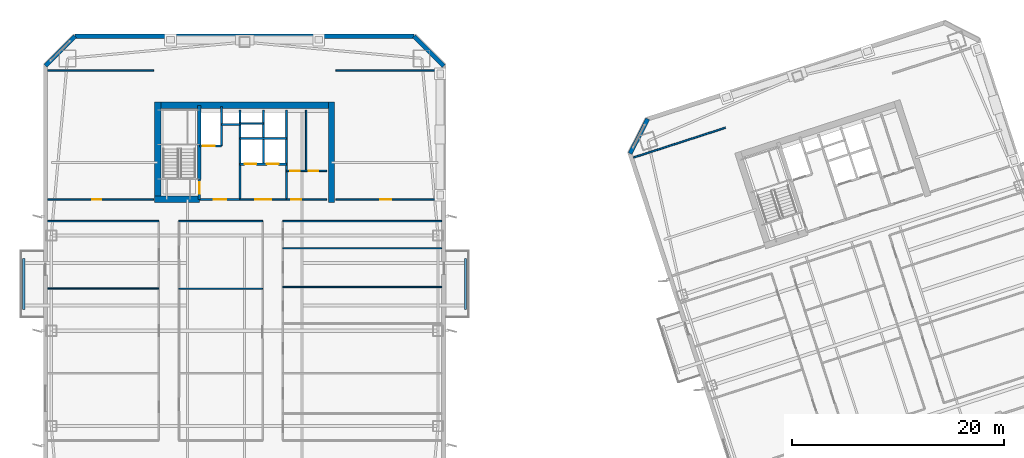
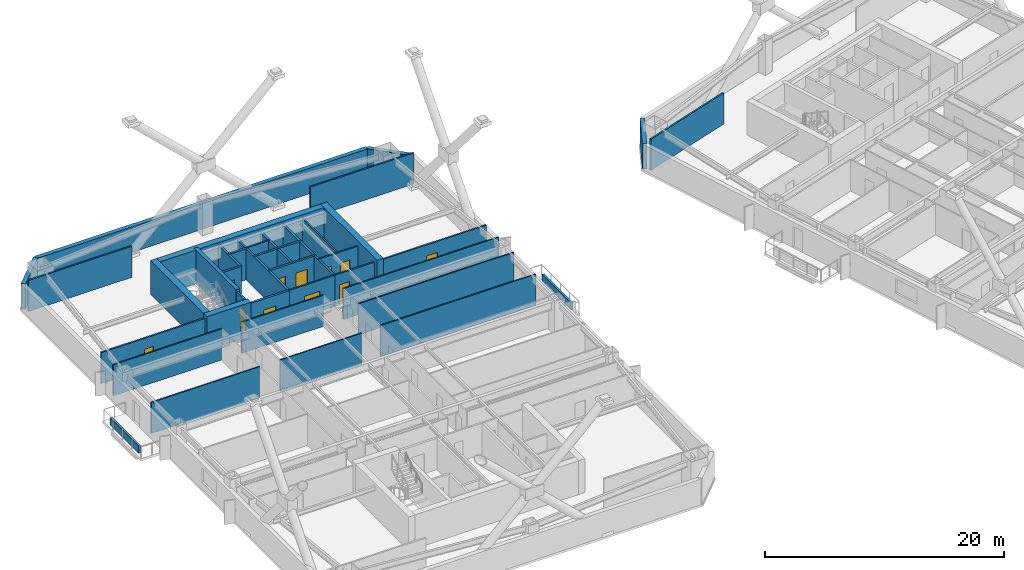
# One storey, part 14 of 24: 38 walls, 11 doors, 11 openings.
"""IFC4 building model written with IfcOpenShell, lengths in metres."""

from ifc_helpers import new_model, si_unit, direction, frame, frame_2d, origin, place, context, subcontext, project, spatial, rectangle, extrude, material, layer, layer_set, type_object, element, fill, save


model = new_model("IFC4")

# Units and contexts
model_context = context("Model", 3, precision=1e-05, world=origin(), true_north=direction((0.0, 1.0)))
body_context = subcontext(model_context, "Body", "Model", "MODEL_VIEW")
ifc_project = project(units=[si_unit("LENGTHUNIT", "METRE"), si_unit("AREAUNIT", "SQUARE_METRE"), si_unit("VOLUMEUNIT", "CUBIC_METRE"), si_unit("PLANEANGLEUNIT", "RADIAN"), si_unit("MASSUNIT", "GRAM", prefix="KILO")], contexts=[model_context])

# Site, building, storey
site_placement = place(None, origin())
site = spatial("IfcSite", under=ifc_project, at=site_placement, CompositionType="ELEMENT")
building_placement = place(site_placement, origin())
building = spatial("IfcBuilding", under=site, at=building_placement, Name="Qiaolan Cultural Towers", CompositionType="ELEMENT")
storey_placement = place(building_placement, frame((0.0, 0.0, 120.75)))
storey = spatial("IfcBuildingStorey", under=building, at=storey_placement, Name="L31", CompositionType="ELEMENT", Elevation=120.75)

# Walls
ifc_material_1 = material(Name="Concrete C50", Category="concrete")
ifc_layer_1 = layer(ifc_material_1, 0.35009765625)
ifc_layer_set_1 = layer_set([ifc_layer_1], Name="Concrete C50")
wall_type_1 = type_object("IfcWallType", Name="WL-CORE-350", PredefinedType="SHEAR", material=ifc_layer_set_1)
wall_1_placement = place(storey_placement, frame((25.719970703125, 48.300048828125, 0.0), z_axis=(0.0, 0.0, 1.0), x_axis=(0.0, 1.0, 0.0)))
element("IfcWall", 1, at=wall_1_placement, inside=storey, type_object=wall_type_1, Name="L31 T1-CN Stair Core Dividing Web", PredefinedType="SHEAR", context=body_context, shape_type="SweptSolid", body=[
    extrude(rectangle(XDim=6.97998046875, YDim=0.35009765625, at=frame_2d((3.489990234375, 0.0))), origin(), (0.0, 0.0, 1.0), 3.449951171875),
])
ifc_material_2 = material(Name="Concrete C55", Category="concrete")
ifc_layer_2 = layer(ifc_material_2, 0.60009765625)
ifc_layer_set_2 = layer_set([ifc_layer_2], Name="Concrete C55")
wall_type_2 = type_object("IfcWallType", Name="WL-CORE-600", PredefinedType="SHEAR", material=ifc_layer_set_2)
wall_2_placement = place(storey_placement, frame((21.5, 55.280029296875, 0.0), z_axis=(0.0, 0.0, 1.0), x_axis=(1.0, 0.0, 0.0)))
element("IfcWall", 2, at=wall_2_placement, inside=storey, type_object=wall_type_2, Name="L31 T1-CN Outer Core Shear Wall", PredefinedType="SHEAR", context=body_context, shape_type="SweptSolid", body=[
    extrude(rectangle(XDim=17.0, YDim=0.60009765625, at=frame_2d((8.5, 0.0))), origin(), (0.0, 0.0, 1.0), 3.449951171875),
])
for number, where, z_axis, x_axis, name in (
    (3, (21.800048828125, 46.10009765625, 0.0), (0.0, 0.0, 1.0), (0.0, 1.0, 0.0), "L31 T1-CN West Core Shear Wall"),
    (4, (38.199951171875, 46.10009765625, 0.0), (0.0, 0.0, 1.0), (0.0, 1.0, 0.0), "L31 T1-CN East Core Shear Wall"),
):
    element("IfcWall", number, at=place(storey_placement, frame(where, z_axis=z_axis, x_axis=x_axis)), inside=storey, type_object=wall_type_2, Name=name, PredefinedType="SHEAR", context=body_context, shape_type="SweptSolid", body=[
        extrude(rectangle(XDim=9.47998046875, YDim=0.60009765625, at=frame_2d((4.739990234375, 0.0))), origin(), (0.0, 0.0, 1.0), 3.449951171875),
    ])
wall_3_placement = place(storey_placement, frame((21.5, 46.39990234375, 0.0), z_axis=(0.0, 0.0, 1.0), x_axis=(1.0, 0.0, 0.0)))
element("IfcWall", 5, at=wall_3_placement, inside=storey, type_object=wall_type_2, Name="L31 T1-CN Stair Front Shear Wall", PredefinedType="SHEAR", context=body_context, shape_type="SweptSolid", body=[
    extrude(rectangle(XDim=4.219970703125, YDim=0.60009765625, at=frame_2d((2.10986328125, 0.0))), origin(), (0.0, 0.0, 1.0), 3.449951171875),
])
ifc_material_3 = material(Name="Precast Concrete C50 Honed Stone Pier", Category="masonry")
ifc_layer_3 = layer(ifc_material_3, 0.39990234375)
ifc_layer_set_3 = layer_set([ifc_layer_3], Name="Precast Concrete C50 Honed Stone Pier")
wall_type_3 = type_object("IfcWallType", Name="WL-EXT-PIER-400", PredefinedType="SOLIDWALL", material=ifc_layer_set_3)
wall_4_placement = place(storey_placement, frame((11.199951171875, 59.0, 0.0), z_axis=(0.0, 0.0, 1.0), x_axis=(0.707106781187, 0.707106781187, 0.0)))
element("IfcWall", 6, at=wall_4_placement, inside=storey, type_object=wall_type_3, Name="L31 West Tower Precast Pier Facade Wall F2", PredefinedType="SOLIDWALL", context=body_context, shape_type="SweptSolid", body=[
    extrude(rectangle(XDim=3.9599609375, YDim=0.39990234375, at=frame_2d((1.97998046875, 0.0))), origin(), (0.0, 0.0, 1.0), 2.610107421875),
])
wall_5_placement = place(storey_placement, frame((14.0, 61.800048828125, 0.0), z_axis=(0.0, 0.0, 1.0), x_axis=(1.0, 0.0, 0.0)))
element("IfcWall", 7, at=wall_5_placement, inside=storey, type_object=wall_type_3, Name="L31 West Tower Precast Pier Facade Wall F3", PredefinedType="SOLIDWALL", context=body_context, shape_type="SweptSolid", body=[
    extrude(rectangle(XDim=32.0, YDim=0.39990234375, at=frame_2d((16.0, 0.0))), origin(), (0.0, 0.0, 1.0), 2.610107421875),
])
wall_6_placement = place(storey_placement, frame((46.0, 61.800048828125, 0.0), z_axis=(0.0, 0.0, 1.0), x_axis=(0.707106781187, -0.707106781187, 0.0)))
element("IfcWall", 8, at=wall_6_placement, inside=storey, type_object=wall_type_3, Name="L31 West Tower Precast Pier Facade Wall F4", PredefinedType="SOLIDWALL", context=body_context, shape_type="SweptSolid", body=[
    extrude(rectangle(XDim=3.9599609375, YDim=0.39990234375, at=frame_2d((1.97998046875, 0.0))), origin(), (0.0, 0.0, 1.0), 2.610107421875),
])
wall_7_placement = place(storey_placement, frame((66.37744140625, 50.718505859375, 0.0), z_axis=(0.0, 0.0, 1.0), x_axis=(0.454026238093, 0.890988313685, 0.0)))
element("IfcWall", 9, at=wall_7_placement, inside=storey, type_object=wall_type_3, Name="L31 East Tower Precast Pier Facade Wall F2", PredefinedType="SOLIDWALL", context=body_context, shape_type="SweptSolid", body=[
    extrude(rectangle(XDim=3.677001953125, YDim=0.39990234375, at=frame_2d((1.83837890625, 0.0))), origin(), (0.0, 0.0, 1.0), 2.610107421875),
])

# Wall, opening, door
ifc_material_4 = material(Name="Concrete C35 Fire Wall", Category="concrete")
ifc_layer_4 = layer(ifc_material_4, 0.199951171875)
ifc_layer_set_4 = layer_set([ifc_layer_4], Name="Concrete C35 Fire Wall")
wall_type_4 = type_object("IfcWallType", Name="WL-FIRE-200", PredefinedType="PARTITIONING", material=ifc_layer_set_4)
wall_8_placement = place(storey_placement, frame((25.719970703125, 46.39990234375, 0.0), z_axis=(0.0, 0.0, 1.0), x_axis=(0.0, 1.0, 0.0)))
wall_8 = element("IfcWall", 10, at=wall_8_placement, inside=storey, type_object=wall_type_4, Name="L31 T1-CN Smokeproof Stair Entry Wall", PredefinedType="PARTITIONING", context=body_context, shape_type="SweptSolid", body=[
    extrude(rectangle(XDim=1.900146484375, YDim=0.199951171875, at=frame_2d((0.9501953125, 0.0))), origin(), (0.0, 0.0, 1.0), 3.175048828125),
])
opening_1_placement = place(wall_8_placement, frame((0.52001953125, 0.0, 0.0)))
opening_1 = element("IfcOpeningElement", 11, at=opening_1_placement, cuts=wall_8, Name="Opening FD-04", PredefinedType="OPENING", context=body_context, shape_type="SweptSolid", body=[
    extrude(rectangle(XDim=1.10009765625, YDim=2.050048828125, at=frame_2d((0.550048828125, 1.02490234375))), frame((0.0, 0.10986328125, 0.0), z_axis=(0.0, -1.0, 0.0), x_axis=(1.0, 0.0, 0.0)), (0.0, 0.0, 1.0), 0.219970703125),
])
ifc_material_5 = material(Name="Galvanized Steel Command Fire Door", Category="steel")
door_type_1 = type_object("IfcDoorType", Name="DR-FD90-1100", OperationType="NOTDEFINED", PredefinedType="DOOR", material=ifc_material_5)
door_1_placement = place(opening_1_placement, origin())
door_1 = element("IfcDoor", 12, at=door_1_placement, inside=storey, type_object=door_type_1, Name="L31 ST-W2 Smokeproof Stair Fire Door", OperationType="SINGLE_SWING_LEFT", OverallHeight=2.050048828125, OverallWidth=1.10009765625, PredefinedType="DOOR", context=body_context, shape_type="SweptSolid", body=[
    extrude(rectangle(XDim=1.10009765625, YDim=2.050048828125, at=frame_2d((0.550048828125, 1.02490234375))), frame((0.0, 0.02490234375, 0.0), z_axis=(0.0, -1.0, 0.0), x_axis=(1.0, 0.0, 0.0)), (0.0, 0.0, 1.0), 0.050048828125),
])
fill(opening_1, door_1)

# Wall
wall_9_placement = place(storey_placement, frame((29.550048828125, 46.39990234375, 0.0), z_axis=(0.0, 0.0, 1.0), x_axis=(0.0, 1.0, 0.0)))
element("IfcWall", 13, at=wall_9_placement, inside=storey, type_object=wall_type_4, Name="L31 T1-CN Firefighting Zone Wall", PredefinedType="PARTITIONING", context=body_context, shape_type="SweptSolid", body=[
    extrude(rectangle(XDim=8.43017578125, YDim=0.199951171875, at=frame_2d((4.215087890625, 0.0))), origin(), (0.0, 0.0, 1.0), 3.175048828125),
])

# Wall, opening, door
wall_10_placement = place(storey_placement, frame((25.719970703125, 46.39990234375, 0.0), z_axis=(0.0, 0.0, 1.0), x_axis=(1.0, 0.0, 0.0)))
wall_10 = element("IfcWall", 14, at=wall_10_placement, inside=storey, type_object=wall_type_4, Name="L31 T1-CN Firefighting Lobby Front Wall", PredefinedType="PARTITIONING", context=body_context, shape_type="SweptSolid", body=[
    extrude(rectangle(XDim=3.830078125, YDim=0.199951171875, at=frame_2d((1.9150390625, 0.0))), origin(), (0.0, 0.0, 1.0), 3.175048828125),
])
opening_2_placement = place(wall_10_placement, frame((1.35009765625, 0.0, 0.0)))
opening_2 = element("IfcOpeningElement", 15, at=opening_2_placement, cuts=wall_10, Name="Opening FD-03", PredefinedType="OPENING", context=body_context, shape_type="SweptSolid", body=[
    extrude(rectangle(XDim=1.199951171875, YDim=2.050048828125, at=frame_2d((0.60009765625, 1.02490234375))), frame((0.0, 0.10986328125, 0.0), z_axis=(0.0, -1.0, 0.0), x_axis=(1.0, 0.0, 0.0)), (0.0, 0.0, 1.0), 0.219970703125),
])
ifc_material_6 = material(Name="Galvanized Steel Smokeproof Lobby Fire Door", Category="steel")
door_type_2 = type_object("IfcDoorType", Name="DR-FD90-1200", OperationType="NOTDEFINED", PredefinedType="DOOR", material=ifc_material_6)
door_2_placement = place(opening_2_placement, origin())
door_2 = element("IfcDoor", 16, at=door_2_placement, inside=storey, type_object=door_type_2, Name="L31 FFL-W2 Firefighting Lobby Fire Door", OperationType="SINGLE_SWING_LEFT", OverallHeight=2.050048828125, OverallWidth=1.199951171875, PredefinedType="DOOR", context=body_context, shape_type="SweptSolid", body=[
    extrude(rectangle(XDim=1.199951171875, YDim=2.050048828125, at=frame_2d((0.60009765625, 1.02490234375))), frame((0.0, 0.02490234375, 0.0), z_axis=(0.0, -1.0, 0.0), x_axis=(1.0, 0.0, 0.0)), (0.0, 0.0, 1.0), 0.050048828125),
])
fill(opening_2, door_2)

wall_11_placement = place(storey_placement, frame((25.719970703125, 51.449951171875, 0.0), z_axis=(0.0, 0.0, 1.0), x_axis=(1.0, 0.0, 0.0)))
wall_11 = element("IfcWall", 17, at=wall_11_placement, inside=storey, type_object=wall_type_4, Name="L31 T1-CN Firefighting Shaft Front Wall", PredefinedType="PARTITIONING", context=body_context, shape_type="SweptSolid", body=[
    extrude(rectangle(XDim=2.10009765625, YDim=0.199951171875, at=frame_2d((1.050048828125, 0.0))), origin(), (0.0, 0.0, 1.0), 3.175048828125),
])
opening_3_placement = place(wall_11_placement, frame((0.35009765625, 0.0, 0.0)))
opening_3 = element("IfcOpeningElement", 18, at=opening_3_placement, cuts=wall_11, Name="Opening LD-01", PredefinedType="OPENING", context=body_context, shape_type="SweptSolid", body=[
    extrude(rectangle(XDim=1.10009765625, YDim=2.050048828125, at=frame_2d((0.550048828125, 1.02490234375))), frame((0.0, 0.10986328125, 0.0), z_axis=(0.0, -1.0, 0.0), x_axis=(1.0, 0.0, 0.0)), (0.0, 0.0, 1.0), 0.219970703125),
])
ifc_material_7 = material(Name="Brushed Stainless Steel S30408 Centre-Parting Lift Landing Door", Category="steel")
door_type_3 = type_object("IfcDoorType", Name="DR-LIFT-1100", OperationType="NOTDEFINED", PredefinedType="DOOR", material=ifc_material_7)
door_3_placement = place(opening_3_placement, origin())
door_3 = element("IfcDoor", 19, at=door_3_placement, inside=storey, type_object=door_type_3, Name="L31 FFL-W2 Firefighting Lift Landing Door", OperationType="DOUBLE_DOOR_SLIDING", OverallHeight=2.050048828125, OverallWidth=1.10009765625, PredefinedType="DOOR", context=body_context, shape_type="SweptSolid", body=[
    extrude(rectangle(XDim=1.10009765625, YDim=2.050048828125, at=frame_2d((0.550048828125, 1.02490234375))), frame((0.0, 0.02490234375, 0.0), z_axis=(0.0, -1.0, 0.0), x_axis=(1.0, 0.0, 0.0)), (0.0, 0.0, 1.0), 0.050048828125),
])
fill(opening_3, door_3)

# Walls
wall_12_placement = place(storey_placement, frame((27.820068359375, 51.449951171875, 0.0), z_axis=(0.0, 0.0, 1.0), x_axis=(0.0, 1.0, 0.0)))
element("IfcWall", 20, at=wall_12_placement, inside=storey, type_object=wall_type_4, Name="L31 T1-CN Firefighting Hoistway East Wall", PredefinedType="PARTITIONING", context=body_context, shape_type="SweptSolid", body=[
    extrude(rectangle(XDim=3.699951171875, YDim=0.199951171875, at=frame_2d((1.85009765625, 0.0))), origin(), (0.0, 0.0, 1.0), 3.175048828125),
])
wall_13_placement = place(storey_placement, frame((27.820068359375, 53.47998046875, 0.0), z_axis=(0.0, 0.0, 1.0), x_axis=(1.0, 0.0, 0.0)))
element("IfcWall", 21, at=wall_13_placement, inside=storey, type_object=wall_type_4, Name="L31 T1-CN Pressurization Shaft Front Wall", PredefinedType="PARTITIONING", context=body_context, shape_type="SweptSolid", body=[
    extrude(rectangle(XDim=1.72998046875, YDim=0.199951171875, at=frame_2d((0.864990234375, 0.0))), origin(), (0.0, 0.0, 1.0), 3.175048828125),
])
wall_14_placement = place(storey_placement, frame((33.949951171875, 46.39990234375, 0.0), z_axis=(0.0, 0.0, 1.0), x_axis=(0.0, 1.0, 0.0)))
element("IfcWall", 22, at=wall_14_placement, inside=storey, type_object=wall_type_4, Name="L31 T1-CN Lift Core East Wall", PredefinedType="PARTITIONING", context=body_context, shape_type="SweptSolid", body=[
    extrude(rectangle(XDim=8.43017578125, YDim=0.199951171875, at=frame_2d((4.215087890625, 0.0))), origin(), (0.0, 0.0, 1.0), 3.175048828125),
])

# Wall, openings, doors
wall_15_placement = place(storey_placement, frame((29.550048828125, 49.719970703125, 0.0), z_axis=(0.0, 0.0, 1.0), x_axis=(1.0, 0.0, 0.0)))
wall_15 = element("IfcWall", 23, at=wall_15_placement, inside=storey, type_object=wall_type_4, Name="L31 T1-CN Passenger Lift Shaft Front Wall", PredefinedType="PARTITIONING", context=body_context, shape_type="SweptSolid", body=[
    extrude(rectangle(XDim=4.39990234375, YDim=0.199951171875, at=frame_2d((2.199951171875, 0.0))), origin(), (0.0, 0.0, 1.0), 3.175048828125),
])
opening_4_placement = place(wall_15_placement, frame((0.449951171875, 0.0, 0.0)))
opening_4 = element("IfcOpeningElement", 24, at=opening_4_placement, cuts=wall_15, Name="Opening LD-01", PredefinedType="OPENING", context=body_context, shape_type="SweptSolid", body=[
    extrude(rectangle(XDim=1.10009765625, YDim=2.050048828125, at=frame_2d((0.550048828125, 1.02490234375))), frame((0.0, 0.10986328125, 0.0), z_axis=(0.0, -1.0, 0.0), x_axis=(1.0, 0.0, 0.0)), (0.0, 0.0, 1.0), 0.219970703125),
])
opening_5_placement = place(wall_15_placement, frame((2.550048828125, 0.0, 0.0)))
opening_5 = element("IfcOpeningElement", 25, at=opening_5_placement, cuts=wall_15, Name="Opening LD-01", PredefinedType="OPENING", context=body_context, shape_type="SweptSolid", body=[
    extrude(rectangle(XDim=1.10009765625, YDim=2.050048828125, at=frame_2d((0.550048828125, 1.02490234375))), frame((0.0, 0.10986328125, 0.0), z_axis=(0.0, -1.0, 0.0), x_axis=(1.0, 0.0, 0.0)), (0.0, 0.0, 1.0), 0.219970703125),
])
door_4_placement = place(opening_4_placement, origin())
door_4 = element("IfcDoor", 26, at=door_4_placement, inside=storey, type_object=door_type_3, Name="L31 Passenger Lift 1 Landing Door", OperationType="DOUBLE_DOOR_SLIDING", OverallHeight=2.050048828125, OverallWidth=1.10009765625, PredefinedType="DOOR", context=body_context, shape_type="SweptSolid", body=[
    extrude(rectangle(XDim=1.10009765625, YDim=2.050048828125, at=frame_2d((0.550048828125, 1.02490234375))), frame((0.0, 0.02490234375, 0.0), z_axis=(0.0, -1.0, 0.0), x_axis=(1.0, 0.0, 0.0)), (0.0, 0.0, 1.0), 0.050048828125),
])
fill(opening_4, door_4)
door_5_placement = place(opening_5_placement, origin())
door_5 = element("IfcDoor", 27, at=door_5_placement, inside=storey, type_object=door_type_3, Name="L31 Passenger Lift 2 Landing Door", OperationType="DOUBLE_DOOR_SLIDING", OverallHeight=2.050048828125, OverallWidth=1.10009765625, PredefinedType="DOOR", context=body_context, shape_type="SweptSolid", body=[
    extrude(rectangle(XDim=1.10009765625, YDim=2.050048828125, at=frame_2d((0.550048828125, 1.02490234375))), frame((0.0, 0.02490234375, 0.0), z_axis=(0.0, -1.0, 0.0), x_axis=(1.0, 0.0, 0.0)), (0.0, 0.0, 1.0), 0.050048828125),
])
fill(opening_5, door_5)

# Walls
wall_16_placement = place(storey_placement, frame((31.780029296875, 49.719970703125, 0.0), z_axis=(0.0, 0.0, 1.0), x_axis=(0.0, 1.0, 0.0)))
element("IfcWall", 28, at=wall_16_placement, inside=storey, type_object=wall_type_4, Name="L31 T1-CN Lift Shaft Divider Wall", PredefinedType="PARTITIONING", context=body_context, shape_type="SweptSolid", body=[
    extrude(rectangle(XDim=5.110107421875, YDim=0.199951171875, at=frame_2d((2.55517578125, 0.0))), origin(), (0.0, 0.0, 1.0), 3.175048828125),
])
wall_17_placement = place(storey_placement, frame((29.550048828125, 52.14990234375, 0.0), z_axis=(0.0, 0.0, 1.0), x_axis=(1.0, 0.0, 0.0)))
element("IfcWall", 29, at=wall_17_placement, inside=storey, type_object=wall_type_4, Name="L31 T1-CN Passenger Lift Shaft Back Wall", PredefinedType="PARTITIONING", context=body_context, shape_type="SweptSolid", body=[
    extrude(rectangle(XDim=4.39990234375, YDim=0.199951171875, at=frame_2d((2.199951171875, 0.0))), origin(), (0.0, 0.0, 1.0), 3.175048828125),
])
ifc_material_8 = material(Name="Gypsum Stud Acoustic Partition", Category="gypsum")
ifc_layer_5 = layer(ifc_material_8, 0.1201171875)
ifc_layer_set_5 = layer_set([ifc_layer_5], Name="Gypsum Stud Acoustic Partition")
wall_type_5 = type_object("IfcWallType", Name="WL-PART-120", PredefinedType="PARTITIONING", material=ifc_layer_set_5)
wall_18_placement = place(storey_placement, frame((11.39990234375, 44.35009765625, 0.0), z_axis=(0.0, 0.0, 1.0), x_axis=(1.0, 0.0, 0.0)))
element("IfcWall", 30, at=wall_18_placement, inside=storey, type_object=wall_type_5, Name="L31 T1 Interior Wall", PredefinedType="PARTITIONING", context=body_context, shape_type="SweptSolid", body=[
    extrude(rectangle(XDim=10.5, YDim=0.1201171875, at=frame_2d((5.25, 0.0))), origin(), (0.0, 0.0, 1.0), 3.175048828125),
])
wall_19_placement = place(storey_placement, frame((23.800048828125, 44.35009765625, 0.0), z_axis=(0.0, 0.0, 1.0), x_axis=(1.0, 0.0, 0.0)))
element("IfcWall", 31, at=wall_19_placement, inside=storey, type_object=wall_type_5, Name="L31 T1 Interior Wall", PredefinedType="PARTITIONING", context=body_context, shape_type="SweptSolid", body=[
    extrude(rectangle(XDim=7.89990234375, YDim=0.1201171875, at=frame_2d((3.949951171875, 0.0))), origin(), (0.0, 0.0, 1.0), 3.175048828125),
])
wall_20_placement = place(storey_placement, frame((33.60009765625, 44.35009765625, 0.0), z_axis=(0.0, 0.0, 1.0), x_axis=(1.0, 0.0, 0.0)))
element("IfcWall", 32, at=wall_20_placement, inside=storey, type_object=wall_type_5, Name="L31 T1 Interior Wall", PredefinedType="PARTITIONING", context=body_context, shape_type="SweptSolid", body=[
    extrude(rectangle(XDim=15.0, YDim=0.1201171875, at=frame_2d((7.5, 0.0))), origin(), (0.0, 0.0, 1.0), 3.175048828125),
])
wall_21_placement = place(storey_placement, frame((23.800048828125, 37.966064453125, 0.0), z_axis=(0.0, 0.0, 1.0), x_axis=(1.0, 0.0, 0.0)))
element("IfcWall", 33, at=wall_21_placement, inside=storey, type_object=wall_type_5, Name="L31 T1 Interior Wall", PredefinedType="PARTITIONING", context=body_context, shape_type="SweptSolid", body=[
    extrude(rectangle(XDim=7.89990234375, YDim=0.1201171875, at=frame_2d((3.949951171875, 0.0))), origin(), (0.0, 0.0, 1.0), 3.175048828125),
])
wall_22_placement = place(storey_placement, frame((11.39990234375, 38.0, 0.0), z_axis=(0.0, 0.0, 1.0), x_axis=(1.0, 0.0, 0.0)))
element("IfcWall", 34, at=wall_22_placement, inside=storey, type_object=wall_type_5, Name="L31 T1 Interior Wall", PredefinedType="PARTITIONING", context=body_context, shape_type="SweptSolid", body=[
    extrude(rectangle(XDim=10.5, YDim=0.1201171875, at=frame_2d((5.25, 0.0))), origin(), (0.0, 0.0, 1.0), 3.175048828125),
])
for number, where, z_axis, x_axis, name in (
    (35, (33.60009765625, 38.133056640625, 0.0), (0.0, 0.0, 1.0), (1.0, 0.0, 0.0), "L31 T1 Interior Wall"),
    (36, (33.60009765625, 41.800048828125, 0.0), (0.0, 0.0, 1.0), (1.0, 0.0, 0.0), "L31 T1 Interior Wall"),
):
    element("IfcWall", number, at=place(storey_placement, frame(where, z_axis=z_axis, x_axis=x_axis)), inside=storey, type_object=wall_type_5, Name=name, PredefinedType="PARTITIONING", context=body_context, shape_type="SweptSolid", body=[
        extrude(rectangle(XDim=15.0, YDim=0.1201171875, at=frame_2d((7.5, 0.0))), origin(), (0.0, 0.0, 1.0), 3.175048828125),
    ])

# Wall, opening, door
ifc_material_9 = material(Name="Autoclaved Aerated Concrete Block B06", Category="concrete")
ifc_layer_6 = layer(ifc_material_9, 0.14990234375)
ifc_layer_set_6 = layer_set([ifc_layer_6], Name="Autoclaved Aerated Concrete Block B06")
wall_type_6 = type_object("IfcWallType", Name="WL-PART-150", PredefinedType="PARTITIONING", material=ifc_layer_set_6)
wall_23_placement = place(storey_placement, frame((29.550048828125, 46.39990234375, 0.0), z_axis=(0.0, 0.0, 1.0), x_axis=(1.0, 0.0, 0.0)))
wall_23 = element("IfcWall", 37, at=wall_23_placement, inside=storey, type_object=wall_type_6, Name="L31 T1-CN Passenger Lift Lobby Front Wall", PredefinedType="PARTITIONING", context=body_context, shape_type="SweptSolid", body=[
    extrude(rectangle(XDim=4.39990234375, YDim=0.14990234375, at=frame_2d((2.199951171875, 0.0))), origin(), (0.0, 0.0, 1.0), 3.175048828125),
])
opening_6_placement = place(wall_23_placement, frame((1.449951171875, 0.0, 0.0)))
opening_6 = element("IfcOpeningElement", 38, at=opening_6_placement, cuts=wall_23, Name="Opening FD-05", PredefinedType="OPENING", context=body_context, shape_type="SweptSolid", body=[
    extrude(rectangle(XDim=1.5, YDim=2.050048828125, at=frame_2d((0.75, 1.02490234375))), frame((0.0, 0.0849609375, 0.0), z_axis=(0.0, -1.0, 0.0), x_axis=(1.0, 0.0, 0.0)), (0.0, 0.0, 1.0), 0.169921875),
])
ifc_material_10 = material(Name="Painted Steel Lift Lobby Fire Door", Category="steel")
door_type_4 = type_object("IfcDoorType", Name="DR-FD60-1500", OperationType="NOTDEFINED", PredefinedType="DOOR", material=ifc_material_10)
door_6_placement = place(opening_6_placement, origin())
door_6 = element("IfcDoor", 39, at=door_6_placement, inside=storey, type_object=door_type_4, Name="L31 Passenger Lift Lobby Entrance", OperationType="SINGLE_SWING_LEFT", OverallHeight=2.050048828125, OverallWidth=1.5, PredefinedType="DOOR", context=body_context, shape_type="SweptSolid", body=[
    extrude(rectangle(XDim=1.5, YDim=2.050048828125, at=frame_2d((0.75, 1.02490234375))), frame((0.0, 0.02490234375, 0.0), z_axis=(0.0, -1.0, 0.0), x_axis=(1.0, 0.0, 0.0)), (0.0, 0.0, 1.0), 0.050048828125),
])
fill(opening_6, door_6)

# Wall
wall_24_placement = place(storey_placement, frame((29.550048828125, 53.550048828125, 0.0), z_axis=(0.0, 0.0, 1.0), x_axis=(1.0, 0.0, 0.0)))
element("IfcWall", 40, at=wall_24_placement, inside=storey, type_object=wall_type_6, Name="L31 T1-CN Core Rear Riser Split", PredefinedType="PARTITIONING", context=body_context, shape_type="SweptSolid", body=[
    extrude(rectangle(XDim=2.22998046875, YDim=0.14990234375, at=frame_2d((1.114990234375, 0.0))), origin(), (0.0, 0.0, 1.0), 3.175048828125),
])

# Wall, opening, door
wall_25_placement = place(storey_placement, frame((33.949951171875, 46.39990234375, 0.0), z_axis=(0.0, 0.0, 1.0), x_axis=(1.0, 0.0, 0.0)))
wall_25 = element("IfcWall", 41, at=wall_25_placement, inside=storey, type_object=wall_type_6, Name="L31 T1-CN Sanitary Core Front Wall", PredefinedType="PARTITIONING", context=body_context, shape_type="SweptSolid", body=[
    extrude(rectangle(XDim=3.800048828125, YDim=0.14990234375, at=frame_2d((1.89990234375, 0.0))), origin(), (0.0, 0.0, 1.0), 3.175048828125),
])
opening_7_placement = place(wall_25_placement, frame((0.449951171875, 0.0, 0.0)))
opening_7 = element("IfcOpeningElement", 42, at=opening_7_placement, cuts=wall_25, Name="Opening ID-05", PredefinedType="OPENING", context=body_context, shape_type="SweptSolid", body=[
    extrude(rectangle(XDim=0.949951171875, YDim=2.050048828125, at=frame_2d((0.47509765625, 1.02490234375))), frame((0.0, 0.0849609375, 0.0), z_axis=(0.0, -1.0, 0.0), x_axis=(1.0, 0.0, 0.0)), (0.0, 0.0, 1.0), 0.169921875),
])
ifc_material_11 = material(Name="Fire-Rated Laminate Accessible Core Door", Category="timber")
door_type_5 = type_object("IfcDoorType", Name="DR-INT-950", OperationType="NOTDEFINED", PredefinedType="DOOR", material=ifc_material_11)
door_7_placement = place(opening_7_placement, origin())
door_7 = element("IfcDoor", 43, at=door_7_placement, inside=storey, type_object=door_type_5, Name="L31 Sanitary Vestibule Door", OperationType="SINGLE_SWING_LEFT", OverallHeight=2.050048828125, OverallWidth=0.949951171875, PredefinedType="DOOR", context=body_context, shape_type="SweptSolid", body=[
    extrude(rectangle(XDim=0.949951171875, YDim=2.050048828125, at=frame_2d((0.47509765625, 1.02490234375))), frame((0.0, 0.02490234375, 0.0), z_axis=(0.0, -1.0, 0.0), x_axis=(1.0, 0.0, 0.0)), (0.0, 0.0, 1.0), 0.050048828125),
])
fill(opening_7, door_7)

# Wall, openings, doors
wall_26_placement = place(storey_placement, frame((33.949951171875, 49.10009765625, 0.0), z_axis=(0.0, 0.0, 1.0), x_axis=(1.0, 0.0, 0.0)))
wall_26 = element("IfcWall", 44, at=wall_26_placement, inside=storey, type_object=wall_type_6, Name="L31 T1-CN Restroom Vestibule Wall", PredefinedType="PARTITIONING", context=body_context, shape_type="SweptSolid", body=[
    extrude(rectangle(XDim=3.800048828125, YDim=0.14990234375, at=frame_2d((1.89990234375, 0.0))), origin(), (0.0, 0.0, 1.0), 3.175048828125),
])
opening_8_placement = place(wall_26_placement, frame((0.35009765625, 0.0, 0.0)))
opening_8 = element("IfcOpeningElement", 45, at=opening_8_placement, cuts=wall_26, Name="Opening ID-06", PredefinedType="OPENING", context=body_context, shape_type="SweptSolid", body=[
    extrude(rectangle(XDim=0.89990234375, YDim=2.050048828125, at=frame_2d((0.449951171875, 1.02490234375))), frame((0.0, 0.0849609375, 0.0), z_axis=(0.0, -1.0, 0.0), x_axis=(1.0, 0.0, 0.0)), (0.0, 0.0, 1.0), 0.169921875),
])
opening_9_placement = place(wall_26_placement, frame((2.10009765625, 0.0, 0.0)))
opening_9 = element("IfcOpeningElement", 46, at=opening_9_placement, cuts=wall_26, Name="Opening ID-06", PredefinedType="OPENING", context=body_context, shape_type="SweptSolid", body=[
    extrude(rectangle(XDim=0.89990234375, YDim=2.050048828125, at=frame_2d((0.449951171875, 1.02490234375))), frame((0.0, 0.0849609375, 0.0), z_axis=(0.0, -1.0, 0.0), x_axis=(1.0, 0.0, 0.0)), (0.0, 0.0, 1.0), 0.169921875),
])
ifc_material_12 = material(Name="Fire-Rated Laminate Core Service Door", Category="timber")
door_type_6 = type_object("IfcDoorType", Name="DR-INT-900", OperationType="NOTDEFINED", PredefinedType="DOOR", material=ifc_material_12)
door_8_placement = place(opening_8_placement, origin())
door_8 = element("IfcDoor", 47, at=door_8_placement, inside=storey, type_object=door_type_6, Name="L31 Men Restroom Door", OperationType="SINGLE_SWING_LEFT", OverallHeight=2.050048828125, OverallWidth=0.89990234375, PredefinedType="DOOR", context=body_context, shape_type="SweptSolid", body=[
    extrude(rectangle(XDim=0.89990234375, YDim=2.050048828125, at=frame_2d((0.449951171875, 1.02490234375))), frame((0.0, 0.02490234375, 0.0), z_axis=(0.0, -1.0, 0.0), x_axis=(1.0, 0.0, 0.0)), (0.0, 0.0, 1.0), 0.050048828125),
])
fill(opening_8, door_8)
door_9_placement = place(opening_9_placement, origin())
door_9 = element("IfcDoor", 48, at=door_9_placement, inside=storey, type_object=door_type_6, Name="L31 Accessible & Women Restroom Door", OperationType="SINGLE_SWING_RIGHT", OverallHeight=2.050048828125, OverallWidth=0.89990234375, PredefinedType="DOOR", context=body_context, shape_type="SweptSolid", body=[
    extrude(rectangle(XDim=0.89990234375, YDim=2.050048828125, at=frame_2d((0.449951171875, 1.02490234375))), frame((0.0, 0.02490234375, 0.0), z_axis=(0.0, -1.0, 0.0), x_axis=(1.0, 0.0, 0.0)), (0.0, 0.0, 1.0), 0.050048828125),
])
fill(opening_9, door_9)

# Walls
wall_27_placement = place(storey_placement, frame((35.800048828125, 49.10009765625, 0.0), z_axis=(0.0, 0.0, 1.0), x_axis=(0.0, 1.0, 0.0)))
element("IfcWall", 49, at=wall_27_placement, inside=storey, type_object=wall_type_6, Name="L31 T1-CN Restroom Divider Wall", PredefinedType="PARTITIONING", context=body_context, shape_type="SweptSolid", body=[
    extrude(rectangle(XDim=5.72998046875, YDim=0.14990234375, at=frame_2d((2.864990234375, 0.0))), origin(), (0.0, 0.0, 1.0), 3.175048828125),
])
wall_28_placement = place(storey_placement, frame((11.39990234375, 58.550048828125, 0.0), z_axis=(0.0, 0.0, 1.0), x_axis=(1.0, 0.0, 0.0)))
element("IfcWall", 50, at=wall_28_placement, inside=storey, type_object=wall_type_6, Name="L31 T1 Flank Wall FLK-NW", PredefinedType="PARTITIONING", context=body_context, shape_type="SweptSolid", body=[
    extrude(rectangle(XDim=10.0, YDim=0.14990234375, at=frame_2d((5.0, 0.0))), origin(), (0.0, 0.0, 1.0), 3.175048828125),
])

# Wall, opening, door
wall_29_placement = place(storey_placement, frame((11.39990234375, 46.39990234375, 0.0), z_axis=(0.0, 0.0, 1.0), x_axis=(1.0, 0.0, 0.0)))
wall_29 = element("IfcWall", 51, at=wall_29_placement, inside=storey, type_object=wall_type_6, Name="L31 T1 Flank Front FLK-NW", PredefinedType="PARTITIONING", context=body_context, shape_type="SweptSolid", body=[
    extrude(rectangle(XDim=10.0, YDim=0.14990234375, at=frame_2d((5.0, 0.0))), origin(), (0.0, 0.0, 1.0), 3.175048828125),
])
opening_10_placement = place(wall_29_placement, frame((4.199951171875, 0.0, 0.0)))
opening_10 = element("IfcOpeningElement", 52, at=opening_10_placement, cuts=wall_29, Name="Opening ID-09", PredefinedType="OPENING", context=body_context, shape_type="SweptSolid", body=[
    extrude(rectangle(XDim=0.85009765625, YDim=2.050048828125, at=frame_2d((0.425048828125, 1.02490234375))), frame((0.0, 0.0849609375, 0.0), z_axis=(0.0, -1.0, 0.0), x_axis=(1.0, 0.0, 0.0)), (0.0, 0.0, 1.0), 0.169921875),
])
ifc_material_13 = material(Name="Moisture-Resistant Laminate Utility Door", Category="timber")
door_type_7 = type_object("IfcDoorType", Name="DR-INT-850", OperationType="NOTDEFINED", PredefinedType="DOOR", material=ifc_material_13)
door_10_placement = place(opening_10_placement, origin())
door_10 = element("IfcDoor", 53, at=door_10_placement, inside=storey, type_object=door_type_7, Name="L31 T1 Corner Studio Door", OperationType="SINGLE_SWING_LEFT", OverallHeight=2.050048828125, OverallWidth=0.85009765625, PredefinedType="DOOR", context=body_context, shape_type="SweptSolid", body=[
    extrude(rectangle(XDim=0.85009765625, YDim=2.050048828125, at=frame_2d((0.425048828125, 1.02490234375))), frame((0.0, 0.02490234375, 0.0), z_axis=(0.0, -1.0, 0.0), x_axis=(1.0, 0.0, 0.0)), (0.0, 0.0, 1.0), 0.050048828125),
])
fill(opening_10, door_10)

# Wall
wall_30_placement = place(storey_placement, frame((38.60009765625, 58.550048828125, 0.0), z_axis=(0.0, 0.0, 1.0), x_axis=(1.0, 0.0, 0.0)))
element("IfcWall", 54, at=wall_30_placement, inside=storey, type_object=wall_type_6, Name="L31 T1 Flank Wall FLK-NE", PredefinedType="PARTITIONING", context=body_context, shape_type="SweptSolid", body=[
    extrude(rectangle(XDim=10.0, YDim=0.14990234375, at=frame_2d((5.0, 0.0))), origin(), (0.0, 0.0, 1.0), 3.175048828125),
])

# Wall, opening, door
wall_31_placement = place(storey_placement, frame((38.60009765625, 46.39990234375, 0.0), z_axis=(0.0, 0.0, 1.0), x_axis=(1.0, 0.0, 0.0)))
wall_31 = element("IfcWall", 55, at=wall_31_placement, inside=storey, type_object=wall_type_6, Name="L31 T1 Flank Front FLK-NE", PredefinedType="PARTITIONING", context=body_context, shape_type="SweptSolid", body=[
    extrude(rectangle(XDim=10.0, YDim=0.14990234375, at=frame_2d((5.0, 0.0))), origin(), (0.0, 0.0, 1.0), 3.175048828125),
])
opening_11_placement = place(wall_31_placement, frame((4.199951171875, 0.0, 0.0)))
opening_11 = element("IfcOpeningElement", 56, at=opening_11_placement, cuts=wall_31, Name="Opening ID-07", PredefinedType="OPENING", context=body_context, shape_type="SweptSolid", body=[
    extrude(rectangle(XDim=1.050048828125, YDim=2.050048828125, at=frame_2d((0.52490234375, 1.02490234375))), frame((0.0, 0.0849609375, 0.0), z_axis=(0.0, -1.0, 0.0), x_axis=(1.0, 0.0, 0.0)), (0.0, 0.0, 1.0), 0.169921875),
])
ifc_material_14 = material(Name="Oak Veneer Consultation Door", Category="timber")
door_type_8 = type_object("IfcDoorType", Name="DR-INT-1050", OperationType="NOTDEFINED", PredefinedType="DOOR", material=ifc_material_14)
door_11_placement = place(opening_11_placement, origin())
door_11 = element("IfcDoor", 57, at=door_11_placement, inside=storey, type_object=door_type_8, Name="L31 T1 Corner Studio Door", OperationType="SINGLE_SWING_LEFT", OverallHeight=2.050048828125, OverallWidth=1.050048828125, PredefinedType="DOOR", context=body_context, shape_type="SweptSolid", body=[
    extrude(rectangle(XDim=1.050048828125, YDim=2.050048828125, at=frame_2d((0.52490234375, 1.02490234375))), frame((0.0, 0.02490234375, 0.0), z_axis=(0.0, -1.0, 0.0), x_axis=(1.0, 0.0, 0.0)), (0.0, 0.0, 1.0), 0.050048828125),
])
fill(opening_11, door_11)

# Walls
wall_32_placement = place(storey_placement, frame((66.706787109375, 50.352294921875, 0.0), z_axis=(0.0, 0.0, 1.0), x_axis=(0.951057133767, 0.309015093986, 0.0)))
element("IfcWall", 58, at=wall_32_placement, inside=storey, type_object=wall_type_6, Name="L31 T2 Flank Wall FLK-NW", PredefinedType="PARTITIONING", context=body_context, shape_type="SweptSolid", body=[
    extrude(rectangle(XDim=9.099853515625, YDim=0.14990234375, at=frame_2d((4.5498046875, 0.0))), origin(), (0.0, 0.0, 1.0), 3.175048828125),
])
ifc_material_15 = material(Name="Precast Concrete C45 Tree Planter Upstand", Category="concrete")
ifc_layer_7 = layer(ifc_material_15, 0.199951171875)
ifc_layer_set_7 = layer_set([ifc_layer_7], Name="Precast Concrete C45 Tree Planter Upstand")
wall_type_7 = type_object("IfcWallType", Name="WL-PLANTER-200", PredefinedType="PARAPET", material=ifc_layer_set_7)
for number, where, z_axis, x_axis, name in (
    (59, (9.14990234375, 36.0, 0.0), (0.0, 0.0, 1.0), (0.0, 1.0, 0.0), "L31 T1 Tree Balcony Soil Planter Box W"),
    (60, (50.85009765625, 36.0, 0.0), (0.0, 0.0, 1.0), (0.0, 1.0, 0.0), "L31 T1 Tree Balcony Soil Planter Box E"),
):
    element("IfcWall", number, at=place(storey_placement, frame(where, z_axis=z_axis, x_axis=x_axis)), inside=storey, type_object=wall_type_7, Name=name, PredefinedType="PARAPET", context=body_context, shape_type="SweptSolid", body=[
        extrude(rectangle(XDim=4.800048828125, YDim=0.199951171875, at=frame_2d((2.39990234375, 0.0))), origin(), (0.0, 0.0, 1.0), 0.75),
    ])

save(model, "model.ifc")
